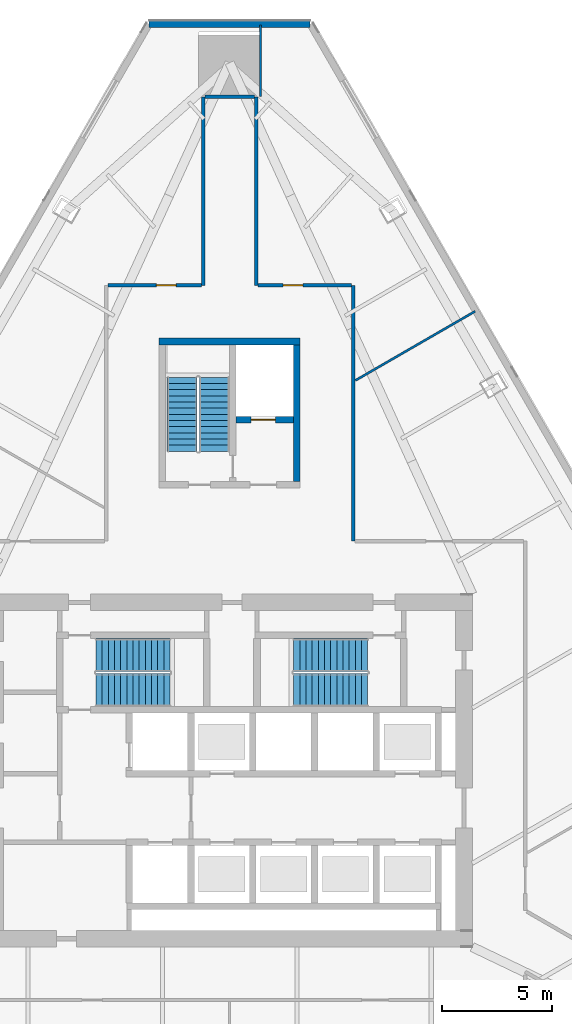
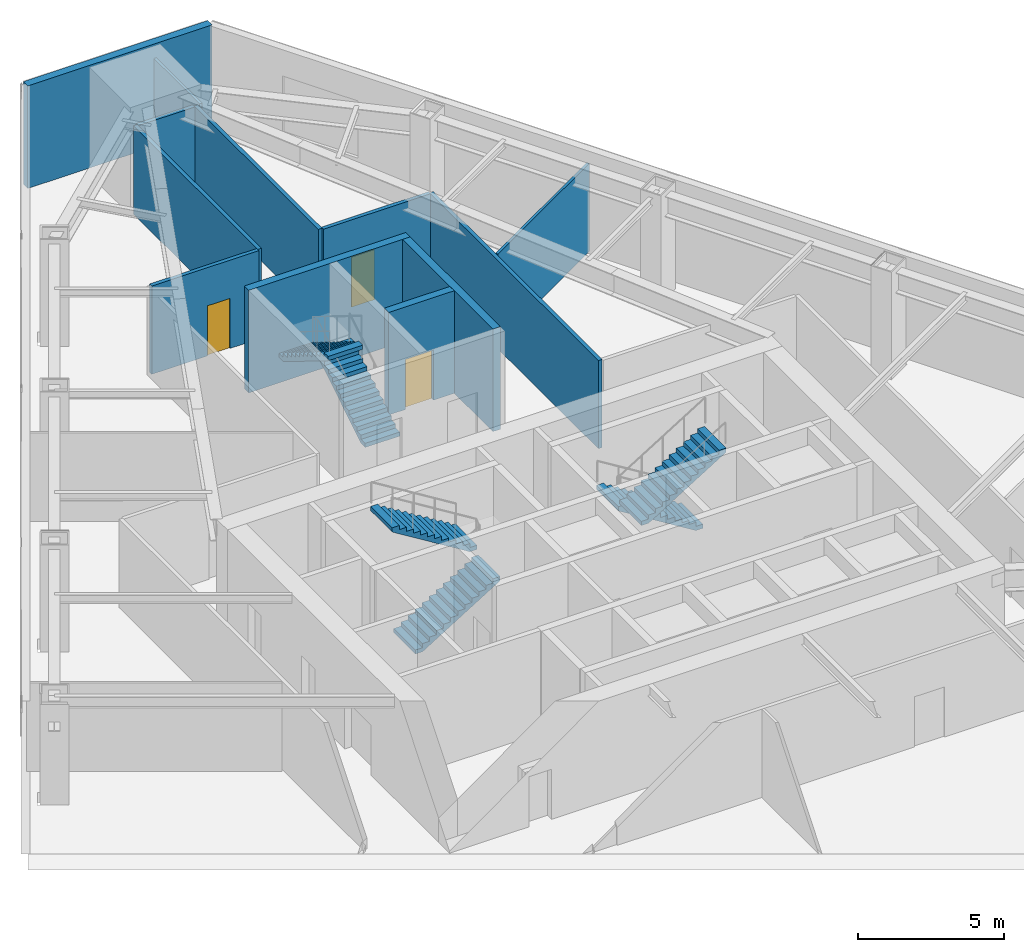
# One storey, part 8 of 14: 12 walls, 6 stair flights, 3 doors, 3 openings, 3 elements without a shape of their own.
"""IFC4 building model written with IfcOpenShell, lengths in metres."""

import ifcopenshell
import ifcopenshell.guid

model = None  # the IFC model being written
_history = None  # IfcOwnerHistory: only IFC2X3 demands one
_inside = {}  # id of a spatial element -> (the spatial element, [elements in it])
_under = {}  # id of a project, library or spatial element -> (it, [spatial elements below it])
_declared = {}  # id of a project -> (the project, [libraries it declares])
_typed = {}  # id of a type object -> (the type object, [elements of that type])
_made_of = {}  # id of a material, layer set ... -> (it, [elements and type objects made of it])


def new_model(schema):
    """Start an empty IFC model of exactly this schema.

    Asked for "IFC4X3", IfcOpenShell would pick the latest addendum, in which some entities
    have other attributes; the version numbers below select the first issue.
    IFC2X3 requires an IfcOwnerHistory on every rooted entity: one is made here for all.
    """
    global model, _history
    if schema == "IFC4X3":
        model = ifcopenshell.file(schema_version=(4, 3, 0, 0))
    else:
        model = ifcopenshell.file(schema=schema)
    _inside.clear()
    _under.clear()
    _declared.clear()
    _typed.clear()
    _made_of.clear()
    _history = None
    if model.schema == "IFC2X3":
        org = make("IfcOrganization", Name="unknown")
        user = make(
            "IfcPersonAndOrganization",
            ThePerson=make("IfcPerson", FamilyName="unknown"),
            TheOrganization=org,
        )
        app = make(
            "IfcApplication",
            ApplicationDeveloper=org,
            Version="unknown",
            ApplicationFullName="unknown",
            ApplicationIdentifier="unknown",
        )
        _history = make(
            "IfcOwnerHistory",
            OwningUser=user,
            OwningApplication=app,
            ChangeAction="ADDED",
            CreationDate=0,
        )
    return model


def make(cls, **values):
    """One entity of the class cls with the attributes given. An attribute that is None is left unset."""
    return model.create_entity(
        cls, **{name: value for name, value in values.items() if value is not None}
    )


def rooted(cls, **values):
    """An entity with a GlobalId (a new one), such as an element, a storey or a relation."""
    return make(cls, GlobalId=ifcopenshell.guid.new(), OwnerHistory=_history, **values)


def si_unit(unit_type, name, prefix=None):
    """IfcSIUnit, for example si_unit("LENGTHUNIT", "METRE", prefix="MILLI")."""
    return make("IfcSIUnit", UnitType=unit_type, Prefix=prefix, Name=name)


def assignment(units):
    """IfcUnitAssignment: the units of a project."""
    return None if units is None else make("IfcUnitAssignment", Units=units)


def point(xyz):
    """IfcCartesianPoint."""
    return None if xyz is None else make("IfcCartesianPoint", Coordinates=xyz)


def direction(xyz):
    """IfcDirection."""
    return None if xyz is None else make("IfcDirection", DirectionRatios=xyz)


def frame(location, z_axis=None, x_axis=None):
    """IfcAxis2Placement3D, a coordinate frame: its origin and axes. An axis left out is left unset."""
    return make(
        "IfcAxis2Placement3D",
        Location=point(location),
        Axis=direction(z_axis),
        RefDirection=direction(x_axis),
    )


def frame_2d(location, x_axis=None):
    """IfcAxis2Placement2D, a coordinate frame in the plane: its origin and x axis."""
    return make(
        "IfcAxis2Placement2D", Location=point(location), RefDirection=direction(x_axis)
    )


def origin():
    """The frame at (0, 0, 0) with its axes left unset."""
    return frame((0.0, 0.0, 0.0))


def place(relative_to, where):
    """IfcLocalPlacement: puts the frame where relative to a parent placement (None: the world)."""
    return make(
        "IfcLocalPlacement", PlacementRelTo=relative_to, RelativePlacement=where
    )


def context(
    kind, dimensions, precision=None, world=None, true_north=None, identifier=None
):
    """IfcGeometricRepresentationContext, for example the 3D "Model" context."""
    return make(
        "IfcGeometricRepresentationContext",
        ContextIdentifier=identifier,
        ContextType=kind,
        CoordinateSpaceDimension=dimensions,
        Precision=precision,
        WorldCoordinateSystem=world,
        TrueNorth=true_north,
    )


def subcontext(parent, identifier, kind, view, scale=None):
    """IfcGeometricRepresentationSubContext, for example "Body" below "Model"."""
    return make(
        "IfcGeometricRepresentationSubContext",
        ContextIdentifier=identifier,
        ContextType=kind,
        ParentContext=parent,
        TargetScale=scale,
        TargetView=view,
    )


def project(units=None, contexts=None):
    """IfcProject with its units and contexts."""
    return rooted(
        "IfcProject",
        Name="project",
        RepresentationContexts=contexts,
        UnitsInContext=assignment(units),
    )


def spatial(cls, under=None, at=None, **own):
    """A site, building, storey or space (cls), placed at a placement, below another one or the project."""
    s = rooted(cls, ObjectPlacement=at, **own)
    if under is not None:
        _under.setdefault(under.id(), (under, []))[1].append(s)
    return s


def polyline(points):
    """IfcPolyline through the points."""
    return make("IfcPolyline", Points=[point(p) for p in points])


def profile(cls, at=None, kind="AREA", **sizes):
    """A parametric profile (cls). Its sizes go by their IFC names, for example OverallWidth=200.0."""
    return make(cls, ProfileType=kind, Position=at, **sizes)


def rectangle(**sizes):
    """IfcRectangleProfileDef."""
    return profile("IfcRectangleProfileDef", **sizes)


def outline(outer, holes=None, kind="AREA"):
    """IfcArbitraryClosedProfileDef: a profile drawn as a closed curve; with holes, ...WithVoids."""
    if holes is None:
        return make("IfcArbitraryClosedProfileDef", ProfileType=kind, OuterCurve=outer)
    return make(
        "IfcArbitraryProfileDefWithVoids",
        ProfileType=kind,
        OuterCurve=outer,
        InnerCurves=holes,
    )


def extrude(swept, where, along, depth):
    """IfcExtrudedAreaSolid: the profile swept, set in the frame where, extruded along a direction by depth."""
    return make(
        "IfcExtrudedAreaSolid",
        SweptArea=swept,
        Position=where,
        ExtrudedDirection=direction(along),
        Depth=depth,
    )


def shape(context_of_items, identifier, shape_type, items):
    """IfcShapeRepresentation: the items that make up one representation, for example the "Body"."""
    return make(
        "IfcShapeRepresentation",
        ContextOfItems=context_of_items,
        RepresentationIdentifier=identifier,
        RepresentationType=shape_type,
        Items=items,
    )


def material(Name=None, Category=None):
    """IfcMaterial."""
    return make("IfcMaterial", Name=Name, Category=Category)


def layer(
    of_material, thickness, ventilated=None, Name=None, Category=None, Priority=None
):
    """IfcMaterialLayer: one layer of a wall or slab, of a material (None: an air gap)."""
    return make(
        "IfcMaterialLayer",
        Material=of_material,
        LayerThickness=thickness,
        IsVentilated=ventilated,
        Name=Name,
        Category=Category,
        Priority=Priority,
    )


def layer_set(layers, Name=None):
    """IfcMaterialLayerSet."""
    return make("IfcMaterialLayerSet", MaterialLayers=layers, LayerSetName=Name)


def made_of(thing, what):
    """Note that an element or type object is made of a material, layer set ...; save() writes the relation."""
    if what is not None:
        _made_of.setdefault(what.id(), (what, []))[1].append(thing)
    return thing


def type_object(cls, material=None, **own):
    """A type object (cls), such as IfcWallType, which elements share."""
    return made_of(rooted(cls, **own), material)


def element(
    cls,
    number,
    at=None,
    inside=None,
    cuts=None,
    type_object=None,
    material=None,
    context=None,
    identifier="Body",
    shape_type=None,
    held_by="IfcProductDefinitionShape",
    body=None,
    shapes=None,
    **own,
):
    """One element of the class cls, such as IfcWall. Its Tag is "e" and its number.

    at: its placement. inside: the storey or other place that contains it. cuts: it is an
    opening in that element (IfcRelVoidsElement). A single representation is given by context,
    identifier, shape_type and body (its items); several are given by shapes. held_by: the class
    of the entity that holds the representations. save() writes the other relations.
    """
    e = rooted(cls, Tag="e%d" % number, ObjectPlacement=at, **own)
    if body is not None:
        shapes = [shape(context, identifier, shape_type, body)]
    if shapes is not None:
        e.Representation = make(held_by, Representations=shapes)
    if inside is not None:
        _inside.setdefault(inside.id(), (inside, []))[1].append(e)
    if cuts is not None:
        rooted(
            "IfcRelVoidsElement", RelatingBuildingElement=cuts, RelatedOpeningElement=e
        )
    if type_object is not None:
        _typed.setdefault(type_object.id(), (type_object, []))[1].append(e)
    return made_of(e, material)


def fill(opening, filler):
    """IfcRelFillsElement: the door or window that sits in an opening."""
    return rooted(
        "IfcRelFillsElement",
        RelatingOpeningElement=opening,
        RelatedBuildingElement=filler,
    )


def aggregate(whole, parts):
    """IfcRelAggregates: a whole, such as a stair, and the parts it consists of."""
    return rooted("IfcRelAggregates", RelatingObject=whole, RelatedObjects=parts)


def save(model, path):
    """Write the relations noted so far, then the file.

    IfcRelAggregates (storeys below a building ...), IfcRelContainedInSpatialStructure (elements
    in a storey), IfcRelDefinesByType, IfcRelAssociatesMaterial and IfcRelDeclares: one each for
    every whole, place, type object, material and project.
    """
    for whole, parts in _under.values():
        aggregate(whole, parts)
    for where, things in _inside.values():
        rooted(
            "IfcRelContainedInSpatialStructure",
            RelatedElements=things,
            RelatingStructure=where,
        )
    for kind, things in _typed.values():
        rooted("IfcRelDefinesByType", RelatedObjects=things, RelatingType=kind)
    for what, things in _made_of.values():
        rooted("IfcRelAssociatesMaterial", RelatedObjects=things, RelatingMaterial=what)
    for by, libraries in _declared.values():
        rooted("IfcRelDeclares", RelatingContext=by, RelatedDefinitions=libraries)
    model.write(path)


model = new_model("IFC4")

# Units and contexts
model_context = context("Model", 3, precision=1e-05, world=origin(), true_north=direction((0.0, 1.0)))
body_context = subcontext(model_context, "Body", "Model", "MODEL_VIEW")
ifc_project = project(units=[si_unit("LENGTHUNIT", "METRE"), si_unit("AREAUNIT", "SQUARE_METRE"), si_unit("VOLUMEUNIT", "CUBIC_METRE"), si_unit("PLANEANGLEUNIT", "RADIAN"), si_unit("MASSUNIT", "GRAM", prefix="KILO")], contexts=[model_context])

# Site, building, storey
site_placement = place(None, origin())
site = spatial("IfcSite", under=ifc_project, at=site_placement, CompositionType="ELEMENT")
building_placement = place(site_placement, origin())
building = spatial("IfcBuilding", under=site, at=building_placement, Name="Firuza Gate Tower and Library", CompositionType="ELEMENT")
storey_placement = place(building_placement, frame((0.0, 0.0, 151.300048828125)))
storey = spatial("IfcBuildingStorey", under=building, at=storey_placement, Name="L34", CompositionType="ELEMENT", Elevation=151.300048828125)

# Walls
ifc_material_1 = material(Name="Concrete C80/95", Category="concrete")
ifc_layer_1 = layer(ifc_material_1, 0.300048828125)
ifc_layer_set_1 = layer_set([ifc_layer_1], Name="Core wall 300 C80/95")
wall_type_1 = type_object("IfcWallType", Name="Core wall 300 C80/95", PredefinedType="SHEAR", material=ifc_layer_set_1)
wall_1_placement = place(storey_placement, frame((71.800048828125, 94.449951171875, 0.0), z_axis=(0.0, 0.0, 1.0), x_axis=(1.0, 0.0, 0.0)))
element("IfcWall", 1, at=wall_1_placement, inside=storey, type_object=wall_type_1, Name="Core wall L34 28", PredefinedType="SHEAR", context=body_context, shape_type="SweptSolid", body=[
    extrude(rectangle(XDim=6.39990234375, YDim=0.300048828125, at=frame_2d((3.199951171875, 0.0))), origin(), (0.0, 0.0, 1.0), 4.300048828125),
])
wall_2_placement = place(storey_placement, frame((78.050048828125, 88.10009765625, 0.0), z_axis=(0.0, 0.0, 1.0), x_axis=(0.0, 1.0, 0.0)))
element("IfcWall", 2, at=wall_2_placement, inside=storey, type_object=wall_type_1, Name="Core wall L34 30", PredefinedType="SHEAR", context=body_context, shape_type="SweptSolid", body=[
    extrude(rectangle(XDim=6.199951171875, YDim=0.300048828125, at=frame_2d((3.10009765625, 0.0))), origin(), (0.0, 0.0, 1.0), 4.300048828125),
])

# Wall, opening, door
wall_3_placement = place(storey_placement, frame((75.300048828125, 90.89990234375, 0.0), z_axis=(0.0, 0.0, 1.0), x_axis=(1.0, 0.0, 0.0)))
wall_3 = element("IfcWall", 3, at=wall_3_placement, inside=storey, type_object=wall_type_1, Name="Core wall L34 31", PredefinedType="SHEAR", context=body_context, shape_type="SweptSolid", body=[
    extrude(rectangle(XDim=2.599853515625, YDim=0.300048828125, at=frame_2d((1.2998046875, 0.0))), origin(), (0.0, 0.0, 1.0), 4.300048828125),
])
opening_1_placement = place(wall_3_placement, frame((0.675048828125, 0.0, 0.0)))
opening_1 = element("IfcOpeningElement", 4, at=opening_1_placement, cuts=wall_3, Name="Opening LD-SV1-L34", PredefinedType="OPENING", context=body_context, shape_type="SweptSolid", body=[
    extrude(rectangle(XDim=1.10009765625, YDim=2.10009765625, at=frame_2d((0.550048828125, 1.050048828125))), frame((0.0, 0.16015625, 0.0), z_axis=(0.0, -1.0, 0.0), x_axis=(1.0, 0.0, 0.0)), (0.0, 0.0, 1.0), 0.320068359375),
])
ifc_material_2 = material(Name="Stainless steel", Category="steel")
door_type_1 = type_object("IfcDoorType", Name="Lift landing door 1100x2100", OperationType="DOUBLE_DOOR_SLIDING", PredefinedType="DOOR", material=ifc_material_2)
door_1_placement = place(opening_1_placement, origin())
door_1 = element("IfcDoor", 5, at=door_1_placement, inside=storey, type_object=door_type_1, Name="Landing door SV1 L34", OperationType="DOUBLE_DOOR_SLIDING", OverallHeight=2.10009765625, OverallWidth=1.10009765625, PredefinedType="DOOR", context=body_context, shape_type="SweptSolid", body=[
    extrude(rectangle(XDim=1.10009765625, YDim=2.10009765625, at=frame_2d((0.550048828125, 1.050048828125))), frame((0.0, 0.02490234375, 0.0), z_axis=(0.0, -1.0, 0.0), x_axis=(1.0, 0.0, 0.0)), (0.0, 0.0, 1.0), 0.050048828125),
])
fill(opening_1, door_1)

ifc_material_3 = material(Name="Gypsum board partition")
ifc_layer_2 = layer(ifc_material_3, 0.14990234375)
ifc_layer_set_2 = layer_set([ifc_layer_2], Name="Corridor wall 150 double board on steel studs")
wall_type_2 = type_object("IfcWallType", Name="Corridor wall 150 double board on steel studs", PredefinedType="PARTITIONING", material=ifc_layer_set_2)
wall_4_placement = place(storey_placement, frame((69.4755859375, 97.0, 0.0), z_axis=(0.0, 0.0, 1.0), x_axis=(1.0, 0.0, 0.0)))
wall_4 = element("IfcWall", 6, at=wall_4_placement, inside=storey, type_object=wall_type_2, Name="f:L34:w005", PredefinedType="PARTITIONING", context=body_context, shape_type="SweptSolid", body=[
    extrude(rectangle(XDim=4.24951171875, YDim=0.14990234375, at=frame_2d((2.124755859375, 0.0))), origin(), (0.0, 0.0, 1.0), 3.699951171875),
])
opening_2_placement = place(wall_4_placement, frame((2.199951171875, 0.0, 0.0)))
opening_2 = element("IfcOpeningElement", 7, at=opening_2_placement, cuts=wall_4, Name="Opening L34-05", PredefinedType="OPENING", context=body_context, shape_type="SweptSolid", body=[
    extrude(rectangle(XDim=0.89990234375, YDim=2.10009765625, at=frame_2d((0.449951171875, 1.050048828125))), frame((0.0, 0.0849609375, 0.0), z_axis=(0.0, -1.0, 0.0), x_axis=(1.0, 0.0, 0.0)), (0.0, 0.0, 1.0), 0.169921875),
])
ifc_material_4 = material(Name="Steel door and timber leaf", Category="steel")
door_type_2 = type_object("IfcDoorType", Name="Fire door 900 x 2100 steel frame, timber leaf", OperationType="NOTDEFINED", PredefinedType="DOOR", material=ifc_material_4)
door_2_placement = place(opening_2_placement, origin())
door_2 = element("IfcDoor", 8, at=door_2_placement, inside=storey, type_object=door_type_2, Name="f:L34:d005", OperationType="SINGLE_SWING_RIGHT", OverallHeight=2.10009765625, OverallWidth=0.89990234375, PredefinedType="DOOR", context=body_context, shape_type="SweptSolid", body=[
    extrude(rectangle(XDim=0.89990234375, YDim=2.10009765625, at=frame_2d((0.449951171875, 1.050048828125))), frame((0.0, 0.02490234375, 0.0), z_axis=(0.0, -1.0, 0.0), x_axis=(1.0, 0.0, 0.0)), (0.0, 0.0, 1.0), 0.050048828125),
])
fill(opening_2, door_2)

wall_5_placement = place(storey_placement, frame((76.27490234375, 97.0, 0.0), z_axis=(0.0, 0.0, 1.0), x_axis=(1.0, 0.0, 0.0)))
wall_5 = element("IfcWall", 9, at=wall_5_placement, inside=storey, type_object=wall_type_2, Name="f:L34:w006", PredefinedType="PARTITIONING", context=body_context, shape_type="SweptSolid", body=[
    extrude(rectangle(XDim=4.24951171875, YDim=0.14990234375, at=frame_2d((2.124755859375, 0.0))), origin(), (0.0, 0.0, 1.0), 3.699951171875),
])
opening_3_placement = place(wall_5_placement, frame((1.14990234375, 0.0, 0.0)))
opening_3 = element("IfcOpeningElement", 10, at=opening_3_placement, cuts=wall_5, Name="Opening L34-06", PredefinedType="OPENING", context=body_context, shape_type="SweptSolid", body=[
    extrude(rectangle(XDim=0.89990234375, YDim=2.10009765625, at=frame_2d((0.449951171875, 1.050048828125))), frame((0.0, 0.0849609375, 0.0), z_axis=(0.0, -1.0, 0.0), x_axis=(1.0, 0.0, 0.0)), (0.0, 0.0, 1.0), 0.169921875),
])
door_3_placement = place(opening_3_placement, origin())
door_3 = element("IfcDoor", 11, at=door_3_placement, inside=storey, type_object=door_type_2, Name="f:L34:d006", OperationType="SINGLE_SWING_LEFT", OverallHeight=2.10009765625, OverallWidth=0.89990234375, PredefinedType="DOOR", context=body_context, shape_type="SweptSolid", body=[
    extrude(rectangle(XDim=0.89990234375, YDim=2.10009765625, at=frame_2d((0.449951171875, 1.050048828125))), frame((0.0, 0.02490234375, 0.0), z_axis=(0.0, -1.0, 0.0), x_axis=(1.0, 0.0, 0.0)), (0.0, 0.0, 1.0), 0.050048828125),
])
fill(opening_3, door_3)

# Walls
wall_6_placement = place(storey_placement, frame((73.87548828125, 105.5458984375, 0.0), z_axis=(0.0, 0.0, 1.0), x_axis=(1.0, 0.0, 0.0)))
element("IfcWall", 12, at=wall_6_placement, inside=storey, type_object=wall_type_2, Name="f:L34:w007", PredefinedType="PARTITIONING", context=body_context, shape_type="SweptSolid", body=[
    extrude(rectangle(XDim=2.243896484375, YDim=0.14990234375, at=frame_2d((1.1220703125, 0.0))), origin(), (0.0, 0.0, 1.0), 3.699951171875),
])
wall_7_placement = place(storey_placement, frame((80.60009765625, 85.39990234375, 0.0), z_axis=(0.0, 0.0, 1.0), x_axis=(0.0, 1.0, 0.0)))
element("IfcWall", 13, at=wall_7_placement, inside=storey, type_object=wall_type_2, Name="f:L34:w017", PredefinedType="PARTITIONING", context=body_context, shape_type="SweptSolid", body=[
    extrude(rectangle(XDim=11.599609375, YDim=0.14990234375, at=frame_2d((5.7998046875, 0.0))), origin(), (0.0, 0.0, 1.0), 3.699951171875),
])
wall_8_placement = place(storey_placement, frame((76.199951171875, 97.0, 0.0), z_axis=(0.0, 0.0, 1.0), x_axis=(0.0, 1.0, 0.0)))
element("IfcWall", 14, at=wall_8_placement, inside=storey, type_object=wall_type_2, Name="f:L34:w019", PredefinedType="PARTITIONING", context=body_context, shape_type="SweptSolid", body=[
    extrude(rectangle(XDim=8.546142578125, YDim=0.14990234375, at=frame_2d((4.27294921875, 0.0))), origin(), (0.0, 0.0, 1.0), 3.699951171875),
])
wall_9_placement = place(storey_placement, frame((73.800048828125, 97.0, 0.0), z_axis=(0.0, 0.0, 1.0), x_axis=(0.0, 1.0, 0.0)))
element("IfcWall", 15, at=wall_9_placement, inside=storey, type_object=wall_type_2, Name="f:L34:w022", PredefinedType="PARTITIONING", context=body_context, shape_type="SweptSolid", body=[
    extrude(rectangle(XDim=8.545654296875, YDim=0.14990234375, at=frame_2d((4.27294921875, 0.0))), origin(), (0.0, 0.0, 1.0), 3.699951171875),
])
ifc_material_5 = material(Name="Gypsum board partition")
ifc_layer_3 = layer(ifc_material_5, 0.10009765625)
ifc_layer_set_3 = layer_set([ifc_layer_3], Name="Partition 100 gypsum board on steel studs")
wall_type_3 = type_object("IfcWallType", Name="Partition 100 gypsum board on steel studs", PredefinedType="PARTITIONING", material=ifc_layer_set_3)
wall_10_placement = place(storey_placement, frame((80.700927734375, 92.68603515625, 0.0), z_axis=(0.0, 0.0, 1.0), x_axis=(0.866025438137, 0.4999999405, 0.0)))
element("IfcWall", 16, at=wall_10_placement, inside=storey, type_object=wall_type_3, Name="f:L34:w012", PredefinedType="PARTITIONING", context=body_context, shape_type="SweptSolid", body=[
    extrude(rectangle(XDim=6.2705078125, YDim=0.10009765625, at=frame_2d((3.13525390625, 0.0))), origin(), (0.0, 0.0, 1.0), 3.699951171875),
])
wall_11_placement = place(storey_placement, frame((76.39990234375, 105.546630859375, 0.0), z_axis=(0.0, 0.0, 1.0), x_axis=(0.0, 1.0, 0.0)))
element("IfcWall", 17, at=wall_11_placement, inside=storey, type_object=wall_type_3, Name="f:L34:w018", PredefinedType="PARTITIONING", context=body_context, shape_type="SweptSolid", body=[
    extrude(rectangle(XDim=3.259521484375, YDim=0.10009765625, at=frame_2d((1.6298828125, 0.0))), origin(), (0.0, 0.0, 1.0), 3.699951171875),
])
ifc_material_6 = material(Name="Concrete C40/50", Category="concrete")
ifc_layer_4 = layer(ifc_material_6, 0.300048828125)
ifc_layer_set_4 = layer_set([ifc_layer_4], Name="Plant louvre wall 300")
wall_type_4 = type_object("IfcWallType", Name="Plant louvre wall 300", PredefinedType="SOLIDWALL", material=ifc_layer_set_4)
wall_12_placement = place(storey_placement, frame((78.65185546875, 108.836181640625, 0.0), z_axis=(0.0, 0.0, 1.0), x_axis=(-1.0, 0.0, 0.0)))
element("IfcWall", 18, at=wall_12_placement, inside=storey, type_object=wall_type_4, Name="Plant louvre wall 4", PredefinedType="SOLIDWALL", context=body_context, shape_type="SweptSolid", body=[
    extrude(rectangle(XDim=7.3037109375, YDim=0.300048828125, at=frame_2d((3.65185546875, 0.0))), origin(), (0.0, 0.0, 1.0), 4.300048828125),
])

# Stair, stair flights
ifc_material_7 = material(Name="Concrete C35/45", Category="concrete")
stair_type_1 = type_object("IfcStairType", Name="Exit stair ST10", PredefinedType="HALF_TURN_STAIR", material=ifc_material_7)
placement = place(storey_placement, origin())
stair_1 = element("IfcStair", 19, at=placement, inside=storey, type_object=stair_type_1, Name="L34 Stair ST3", PredefinedType="HALF_TURN_STAIR")
ifc_material_8 = material(Name="Concrete C35/45", Category="concrete")
stair_flight_type_1 = type_object("IfcStairFlightType", Name="Stair flight 13 risers 173.1 width 1370", PredefinedType="STRAIGHT", material=ifc_material_8)
stair_flight_1_placement = place(storey_placement, frame((74.31494140625, 89.469970703125, 0.0), z_axis=(0.0, 0.0, 1.0), x_axis=(0.0, 1.0, 0.0)))
stair_flight_1 = element("IfcStairFlight", 20, at=stair_flight_1_placement, type_object=stair_flight_type_1, Name="ST3 flight 1", NumberOfRisers=13, NumberOfTreads=12, PredefinedType="STRAIGHT", RiserHeight=0.173076923, TreadLength=0.28, context=body_context, shape_type="SweptSolid", body=[
    extrude(outline(polyline([(0.0, 0.0), (0.0, 0.173095703125), (0.280029296875, 0.173095703125), (0.280029296875, 0.34619140625), (0.56005859375, 0.34619140625), (0.56005859375, 0.519287109375), (0.840087890625, 0.519287109375), (0.840087890625, 0.6923828125), (1.1201171875, 0.6923828125), (1.1201171875, 0.865478515625), (1.39990234375, 0.865478515625), (1.39990234375, 1.03857421875), (1.679931640625, 1.03857421875), (1.679931640625, 1.21142578125), (1.9599609375, 1.21142578125), (1.9599609375, 1.384521484375), (2.239990234375, 1.384521484375), (2.239990234375, 1.5576171875), (2.52001953125, 1.5576171875), (2.52001953125, 1.730712890625), (2.800048828125, 1.730712890625), (2.800048828125, 1.90380859375), (3.080078125, 1.90380859375), (3.080078125, 2.076904296875), (3.360107421875, 2.076904296875), (3.360107421875, 2.25), (3.360107421875, 1.900634765625), (0.28515625, 0.0), (0.0, 0.0)])), frame((0.0, 0.68505859375, 0.0), z_axis=(0.0, -1.0, 0.0), x_axis=(1.0, 0.0, 0.0)), (0.0, 0.0, 1.0), 1.3701171875),
])
stair_flight_2_placement = place(storey_placement, frame((72.844970703125, 92.830078125, 2.25), z_axis=(0.0, 0.0, 1.0), x_axis=(0.0, -1.0, 0.0)))
stair_flight_2 = element("IfcStairFlight", 21, at=stair_flight_2_placement, type_object=stair_flight_type_1, Name="ST3 flight 2", NumberOfRisers=13, NumberOfTreads=12, PredefinedType="STRAIGHT", RiserHeight=0.173076923, TreadLength=0.28, context=body_context, shape_type="SweptSolid", body=[
    extrude(outline(polyline([(0.0, 0.0), (0.0, 0.173095703125), (0.280029296875, 0.173095703125), (0.280029296875, 0.34619140625), (0.56005859375, 0.34619140625), (0.56005859375, 0.519287109375), (0.840087890625, 0.519287109375), (0.840087890625, 0.6923828125), (1.1201171875, 0.6923828125), (1.1201171875, 0.865478515625), (1.39990234375, 0.865478515625), (1.39990234375, 1.03857421875), (1.679931640625, 1.03857421875), (1.679931640625, 1.21142578125), (1.9599609375, 1.21142578125), (1.9599609375, 1.384521484375), (2.239990234375, 1.384521484375), (2.239990234375, 1.5576171875), (2.52001953125, 1.5576171875), (2.52001953125, 1.730712890625), (2.800048828125, 1.730712890625), (2.800048828125, 1.90380859375), (3.080078125, 1.90380859375), (3.080078125, 2.076904296875), (3.360107421875, 2.076904296875), (3.360107421875, 2.25), (3.360107421875, 1.900634765625), (0.28515625, 0.0), (0.0, 0.0)])), frame((0.0, 0.68505859375, 0.0), z_axis=(0.0, -1.0, 0.0), x_axis=(1.0, 0.0, 0.0)), (0.0, 0.0, 1.0), 1.3701171875),
])
aggregate(stair_1, [stair_flight_1, stair_flight_2])

ifc_material_9 = material(Name="Concrete C35/45", Category="concrete")
stair_type_2 = type_object("IfcStairType", Name="Exit stair ST1", PredefinedType="HALF_TURN_STAIR", material=ifc_material_9)
stair_2 = element("IfcStair", 22, at=placement, inside=storey, type_object=stair_type_2, Name="L34 Stair ST1", PredefinedType="HALF_TURN_STAIR")
ifc_material_10 = material(Name="Concrete C35/45", Category="concrete")
stair_flight_type_2 = type_object("IfcStairFlightType", Name="Stair flight 13 risers 173.1 width 1490", PredefinedType="STRAIGHT", material=ifc_material_10)
stair_flight_3_placement = place(storey_placement, frame((68.93994140625, 78.64501953125, 0.0), z_axis=(0.0, 0.0, 1.0), x_axis=(1.0, 0.0, 0.0)))
stair_flight_3 = element("IfcStairFlight", 23, at=stair_flight_3_placement, type_object=stair_flight_type_2, Name="ST1 flight 1", NumberOfRisers=13, NumberOfTreads=12, PredefinedType="STRAIGHT", RiserHeight=0.173076923, TreadLength=0.28, context=body_context, shape_type="SweptSolid", body=[
    extrude(outline(polyline([(0.0, 0.0), (0.0, 0.173095703125), (0.280029296875, 0.173095703125), (0.280029296875, 0.34619140625), (0.56005859375, 0.34619140625), (0.56005859375, 0.519287109375), (0.840087890625, 0.519287109375), (0.840087890625, 0.6923828125), (1.1201171875, 0.6923828125), (1.1201171875, 0.865478515625), (1.39990234375, 0.865478515625), (1.39990234375, 1.03857421875), (1.679931640625, 1.03857421875), (1.679931640625, 1.21142578125), (1.9599609375, 1.21142578125), (1.9599609375, 1.384521484375), (2.239990234375, 1.384521484375), (2.239990234375, 1.5576171875), (2.52001953125, 1.5576171875), (2.52001953125, 1.730712890625), (2.800048828125, 1.730712890625), (2.800048828125, 1.90380859375), (3.080078125, 1.90380859375), (3.080078125, 2.076904296875), (3.360107421875, 2.076904296875), (3.360107421875, 2.25), (3.360107421875, 1.900634765625), (0.28515625, 0.0), (0.0, 0.0)])), frame((0.0, 0.7451171875, 0.0), z_axis=(0.0, -1.0, 0.0), x_axis=(1.0, 0.0, 0.0)), (0.0, 0.0, 1.0), 1.489990234375),
])
stair_flight_4_placement = place(storey_placement, frame((72.300048828125, 80.235107421875, 2.25), z_axis=(0.0, 0.0, 1.0), x_axis=(-1.0, 0.0, 0.0)))
stair_flight_4 = element("IfcStairFlight", 24, at=stair_flight_4_placement, type_object=stair_flight_type_2, Name="ST1 flight 2", NumberOfRisers=13, NumberOfTreads=12, PredefinedType="STRAIGHT", RiserHeight=0.173076923, TreadLength=0.28, context=body_context, shape_type="SweptSolid", body=[
    extrude(outline(polyline([(0.0, 0.0), (0.0, 0.173095703125), (0.280029296875, 0.173095703125), (0.280029296875, 0.34619140625), (0.56005859375, 0.34619140625), (0.56005859375, 0.519287109375), (0.840087890625, 0.519287109375), (0.840087890625, 0.6923828125), (1.1201171875, 0.6923828125), (1.1201171875, 0.865478515625), (1.39990234375, 0.865478515625), (1.39990234375, 1.03857421875), (1.679931640625, 1.03857421875), (1.679931640625, 1.21142578125), (1.9599609375, 1.21142578125), (1.9599609375, 1.384521484375), (2.239990234375, 1.384521484375), (2.239990234375, 1.5576171875), (2.52001953125, 1.5576171875), (2.52001953125, 1.730712890625), (2.800048828125, 1.730712890625), (2.800048828125, 1.90380859375), (3.080078125, 1.90380859375), (3.080078125, 2.076904296875), (3.360107421875, 2.076904296875), (3.360107421875, 2.25), (3.360107421875, 1.900634765625), (0.28515625, 0.0), (0.0, 0.0)])), frame((0.0, 0.7451171875, 0.0), z_axis=(0.0, -1.0, 0.0), x_axis=(1.0, 0.0, 0.0)), (0.0, 0.0, 1.0), 1.489990234375),
])
aggregate(stair_2, [stair_flight_3, stair_flight_4])

stair_3 = element("IfcStair", 25, at=placement, inside=storey, type_object=stair_type_2, Name="L34 Stair ST2", PredefinedType="HALF_TURN_STAIR")
stair_flight_5_placement = place(storey_placement, frame((81.260009765625, 80.235107421875, 0.0), z_axis=(0.0, 0.0, 1.0), x_axis=(-1.0, 0.0, 0.0)))
stair_flight_5 = element("IfcStairFlight", 26, at=stair_flight_5_placement, type_object=stair_flight_type_2, Name="ST2 flight 1", NumberOfRisers=13, NumberOfTreads=12, PredefinedType="STRAIGHT", RiserHeight=0.173076923, TreadLength=0.28, context=body_context, shape_type="SweptSolid", body=[
    extrude(outline(polyline([(0.0, 0.0), (0.0, 0.173095703125), (0.280029296875, 0.173095703125), (0.280029296875, 0.34619140625), (0.56005859375, 0.34619140625), (0.56005859375, 0.519287109375), (0.840087890625, 0.519287109375), (0.840087890625, 0.6923828125), (1.1201171875, 0.6923828125), (1.1201171875, 0.865478515625), (1.39990234375, 0.865478515625), (1.39990234375, 1.03857421875), (1.679931640625, 1.03857421875), (1.679931640625, 1.21142578125), (1.9599609375, 1.21142578125), (1.9599609375, 1.384521484375), (2.239990234375, 1.384521484375), (2.239990234375, 1.5576171875), (2.52001953125, 1.5576171875), (2.52001953125, 1.730712890625), (2.800048828125, 1.730712890625), (2.800048828125, 1.90380859375), (3.080078125, 1.90380859375), (3.080078125, 2.076904296875), (3.360107421875, 2.076904296875), (3.360107421875, 2.25), (3.360107421875, 1.900634765625), (0.28515625, 0.0), (0.0, 0.0)])), frame((0.0, 0.7451171875, 0.0), z_axis=(0.0, -1.0, 0.0), x_axis=(1.0, 0.0, 0.0)), (0.0, 0.0, 1.0), 1.489990234375),
])
stair_flight_6_placement = place(storey_placement, frame((77.89990234375, 78.64501953125, 2.25), z_axis=(0.0, 0.0, 1.0), x_axis=(1.0, 0.0, 0.0)))
stair_flight_6 = element("IfcStairFlight", 27, at=stair_flight_6_placement, type_object=stair_flight_type_2, Name="ST2 flight 2", NumberOfRisers=13, NumberOfTreads=12, PredefinedType="STRAIGHT", RiserHeight=0.173076923, TreadLength=0.28, context=body_context, shape_type="SweptSolid", body=[
    extrude(outline(polyline([(0.0, 0.0), (0.0, 0.173095703125), (0.280029296875, 0.173095703125), (0.280029296875, 0.34619140625), (0.56005859375, 0.34619140625), (0.56005859375, 0.519287109375), (0.840087890625, 0.519287109375), (0.840087890625, 0.6923828125), (1.1201171875, 0.6923828125), (1.1201171875, 0.865478515625), (1.39990234375, 0.865478515625), (1.39990234375, 1.03857421875), (1.679931640625, 1.03857421875), (1.679931640625, 1.21142578125), (1.9599609375, 1.21142578125), (1.9599609375, 1.384521484375), (2.239990234375, 1.384521484375), (2.239990234375, 1.5576171875), (2.52001953125, 1.5576171875), (2.52001953125, 1.730712890625), (2.800048828125, 1.730712890625), (2.800048828125, 1.90380859375), (3.080078125, 1.90380859375), (3.080078125, 2.076904296875), (3.360107421875, 2.076904296875), (3.360107421875, 2.25), (3.360107421875, 1.900634765625), (0.28515625, 0.0), (0.0, 0.0)])), frame((0.0, 0.7451171875, 0.0), z_axis=(0.0, -1.0, 0.0), x_axis=(1.0, 0.0, 0.0)), (0.0, 0.0, 1.0), 1.489990234375),
])
aggregate(stair_3, [stair_flight_5, stair_flight_6])

save(model, "model.ifc")
